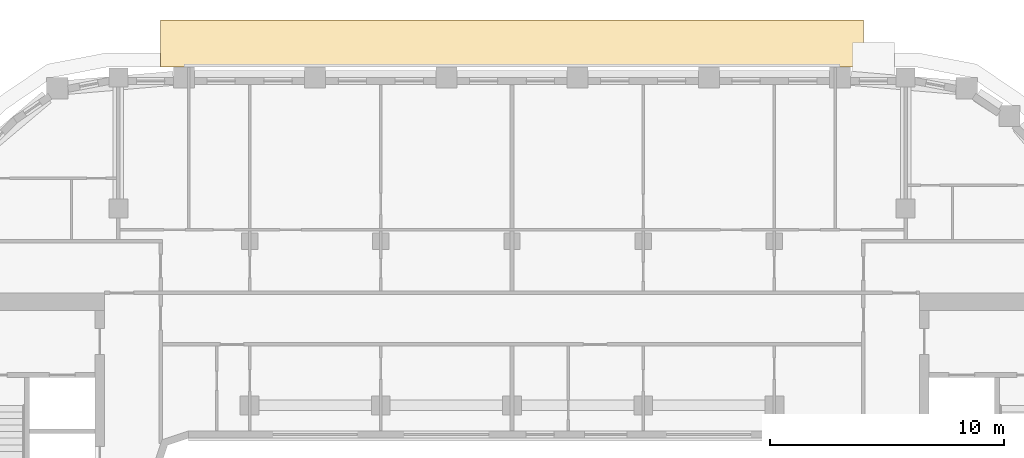
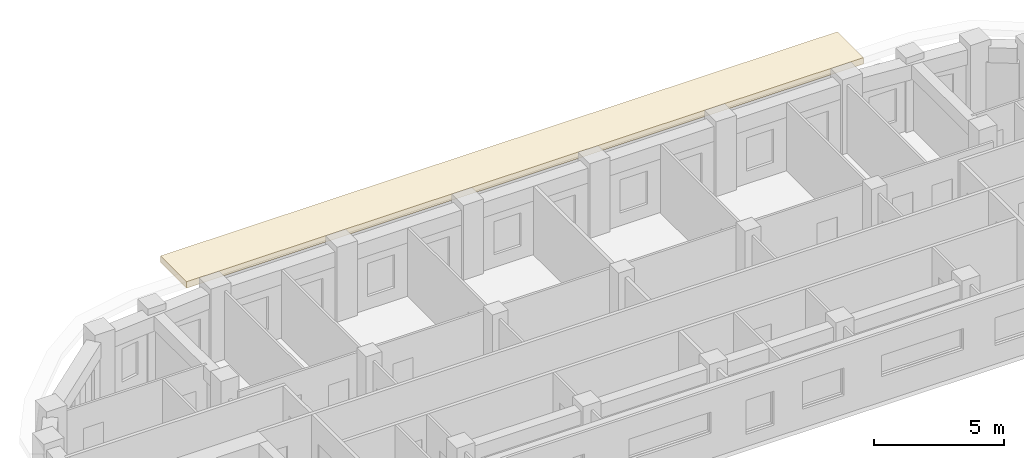
# One storey, part 20 of 21: 1 covering.
"""IFC4 building model written with IfcOpenShell, lengths in metres."""

from ifc_helpers import new_model, si_unit, direction, frame, origin, place, context, subcontext, project, spatial, polyline, outline, extrude, material, layer, layer_set, type_object, element, save


model = new_model("IFC4")

# Units and contexts
model_context = context("Model", 3, precision=1e-05, world=origin(), true_north=direction((0.0, 1.0)))
body_context = subcontext(model_context, "Body", "Model", "MODEL_VIEW")
ifc_project = project(units=[si_unit("LENGTHUNIT", "METRE"), si_unit("AREAUNIT", "SQUARE_METRE"), si_unit("VOLUMEUNIT", "CUBIC_METRE"), si_unit("PLANEANGLEUNIT", "RADIAN"), si_unit("MASSUNIT", "GRAM", prefix="KILO")], contexts=[model_context])

# Site, building, storey
site_placement = place(None, origin())
site = spatial("IfcSite", under=ifc_project, at=site_placement, CompositionType="ELEMENT")
building_placement = place(site_placement, origin())
building = spatial("IfcBuilding", under=site, at=building_placement, Name="Kiln Ring Residences", CompositionType="ELEMENT")
storey_placement = place(building_placement, frame((0.0, 0.0, 202.89990234375)))
storey = spatial("IfcBuildingStorey", under=building, at=storey_placement, Name="L52", CompositionType="ELEMENT", Elevation=202.89990234375)

# Covering
ifc_material = material(Name="Black powder-coated steel", Category="steel")
ifc_layer = layer(ifc_material, 0.300048828125)
ifc_layer_set = layer_set([ifc_layer], Name="SUNSHADE BAND 2000")
covering_type = type_object("IfcCoveringType", Name="SUNSHADE BAND 2000", PredefinedType="CLADDING", material=ifc_layer_set)
covering_placement = place(storey_placement, frame((0.0, 0.0, 3.2001953125)))
element("IfcCovering", 1, at=covering_placement, inside=storey, type_object=covering_type, Name="SUNSHADE BAND L52", PredefinedType="CLADDING", context=body_context, shape_type="SweptSolid", body=[
    extrude(outline(polyline([(15.0, 24.85009765625), (-15.0, 24.85009765625), (-15.0, 22.85009765625), (15.0, 22.85009765625), (15.0, 24.85009765625)])), origin(), (0.0, 0.0, 1.0), 0.2998046875),
])

save(model, "model.ifc")
